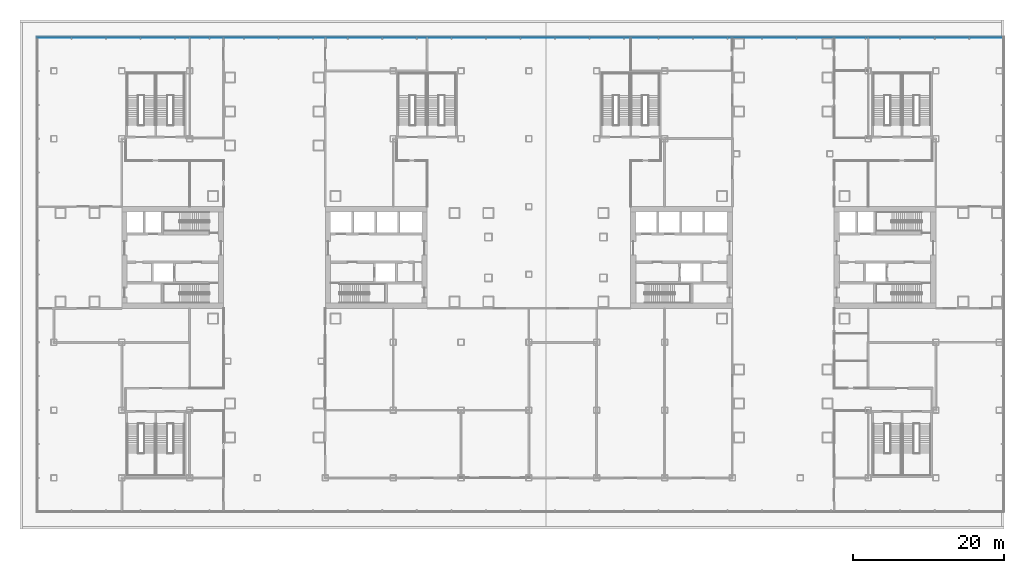
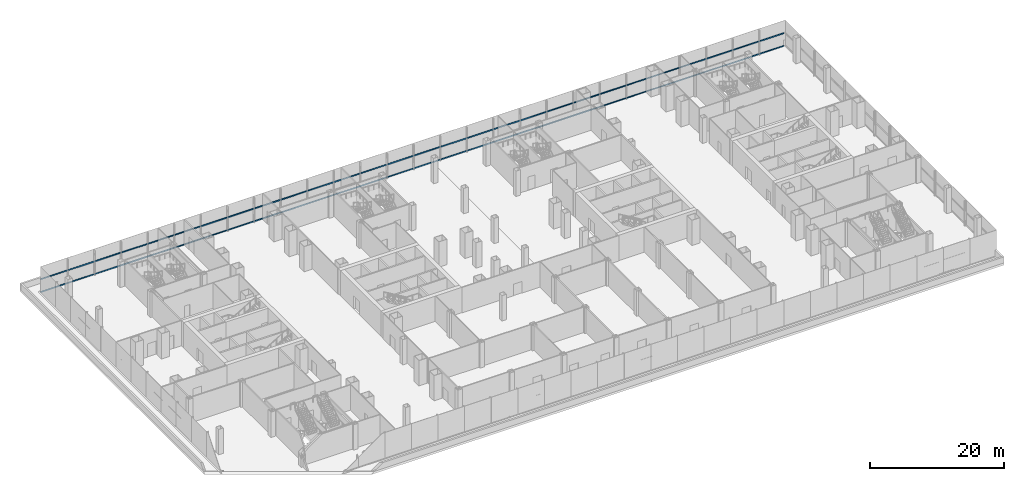
# One storey, part 12 of 33: 2 members, 1 element without a shape of its own.
"""IFC4 building model written with IfcOpenShell, lengths in metres."""

from ifc_helpers import new_model, si_unit, direction, frame, origin, origin_2d, place, context, subcontext, project, spatial, rectangle, extrude, material, layer, layer_set, material_profile, profile_set, type_object, element, aggregate, save


model = new_model("IFC4")

# Units and contexts
model_context = context("Model", 3, precision=1e-05, world=origin(), true_north=direction((0.0, 1.0)))
body_context = subcontext(model_context, "Body", "Model", "MODEL_VIEW")
ifc_project = project(units=[si_unit("LENGTHUNIT", "METRE"), si_unit("AREAUNIT", "SQUARE_METRE"), si_unit("VOLUMEUNIT", "CUBIC_METRE"), si_unit("PLANEANGLEUNIT", "RADIAN"), si_unit("MASSUNIT", "GRAM", prefix="KILO")], contexts=[model_context])

# Site, building, storey
site_placement = place(None, origin())
site = spatial("IfcSite", under=ifc_project, at=site_placement, CompositionType="ELEMENT")
building_placement = place(site_placement, origin())
building = spatial("IfcBuilding", under=site, at=building_placement, Name="Shamsa Quay Exchange Towers", CompositionType="ELEMENT")
storey_placement = place(building_placement, frame((0.0, 0.0, 18.5)))
storey = spatial("IfcBuildingStorey", under=building, at=storey_placement, Name="L03", CompositionType="ELEMENT", Elevation=18.5)

# Curtain wall, members
ifc_material = material(Name="Aluminium EN AW-6063 T6, black anodised", Category="aluminium")
ifc_layer = layer(ifc_material, 0.33203125)
ifc_layer_set = layer_set([ifc_layer], Name="CW-3 PODIUM SHOPFRONT GLAZING")
curtain_wall_type = type_object("IfcCurtainWallType", Name="CW-3 PODIUM SHOPFRONT GLAZING", PredefinedType="NOTDEFINED", material=ifc_layer_set)
curtain_wall_placement = place(storey_placement, origin())
curtain_wall = element("IfcCurtainWall", 1, at=curtain_wall_placement, inside=storey, type_object=curtain_wall_type, Name="CW3 PODIUM-L03-F01", PredefinedType="NOTDEFINED")
ifc_material_profile = material_profile(ifc_material, rectangle(XDim=0.080078125, YDim=0.159912109375, at=origin_2d()), Name="TR160x80")
ifc_profile_set = profile_set([ifc_material_profile], Name="Aluminium EN AW-6063 T6, black anodised")
member_type = type_object("IfcMemberType", Name="CW3 TRANSOM 160x80", PredefinedType="USERDEFINED", material=ifc_profile_set)
member_1_placement = place(storey_placement, frame((62.697998046875, 29.2099609375, 0.080078125), z_axis=(-1.0, 0.0, 0.0), x_axis=(0.0, -1.0, 0.0)))
member_1 = element("IfcMember", 2, at=member_1_placement, type_object=member_type, Name="CW3 transom", ObjectType="TRANSOM", PredefinedType="USERDEFINED", context=body_context, shape_type="SweptSolid", body=[
    extrude(rectangle(XDim=0.080078125, YDim=0.159912109375, at=origin_2d()), origin(), (0.0, 0.0, 1.0), 127.947998046875),
])
member_2_placement = place(storey_placement, frame((62.697998046875, 29.2099609375, 2.405029296875), z_axis=(-1.0, 0.0, 0.0), x_axis=(0.0, -1.0, 0.0)))
member_2 = element("IfcMember", 3, at=member_2_placement, type_object=member_type, Name="CW3 transom", ObjectType="TRANSOM", PredefinedType="USERDEFINED", context=body_context, shape_type="SweptSolid", body=[
    extrude(rectangle(XDim=0.080078125, YDim=0.159912109375, at=origin_2d()), origin(), (0.0, 0.0, 1.0), 127.947998046875),
])
aggregate(curtain_wall, [member_1, member_2])

save(model, "model.ifc")
